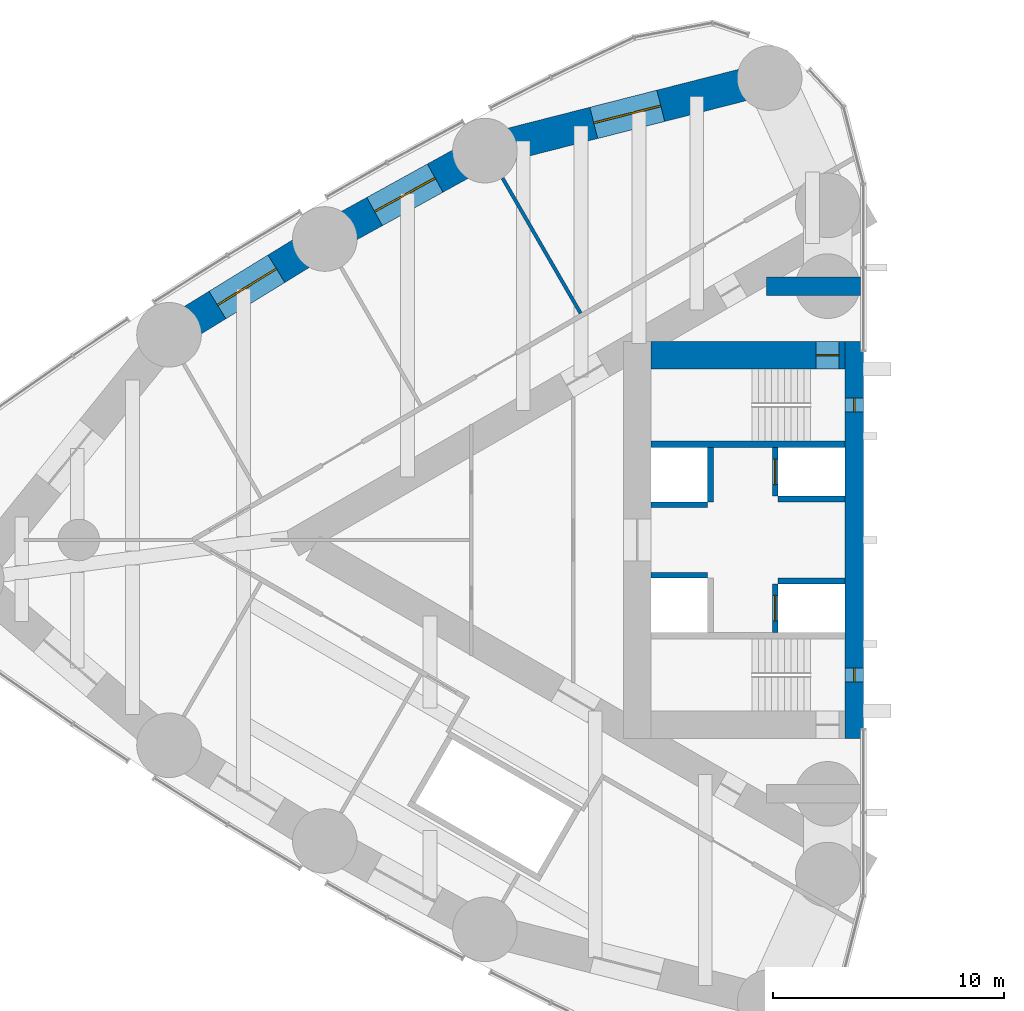
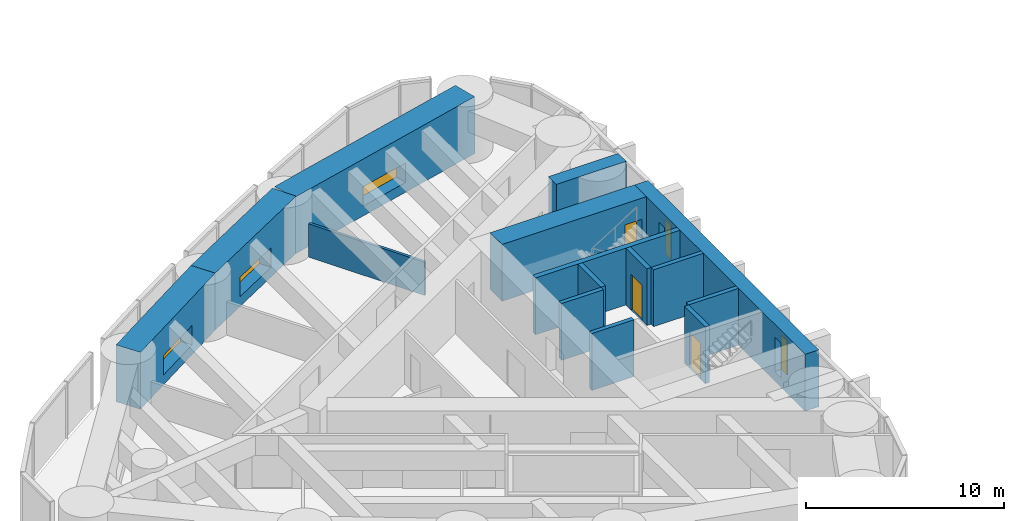
# One storey, part 13 of 17: 15 walls, 5 windows, 3 doors, 8 openings.
"""IFC4 building model written with IfcOpenShell, lengths in metres."""

from ifc_helpers import new_model, si_unit, direction, frame, frame_2d, origin, place, context, subcontext, project, spatial, rectangle, extrude, material, layer, layer_set, type_object, element, fill, save


model = new_model("IFC4")

# Units and contexts
model_context = context("Model", 3, precision=1e-05, world=origin(), true_north=direction((0.0, 1.0)))
body_context = subcontext(model_context, "Body", "Model", "MODEL_VIEW")
ifc_project = project(units=[si_unit("LENGTHUNIT", "METRE"), si_unit("AREAUNIT", "SQUARE_METRE"), si_unit("VOLUMEUNIT", "CUBIC_METRE"), si_unit("PLANEANGLEUNIT", "RADIAN"), si_unit("MASSUNIT", "GRAM", prefix="KILO")], contexts=[model_context])

# Site, building, storey
site_placement = place(None, origin())
site = spatial("IfcSite", under=ifc_project, at=site_placement, CompositionType="ELEMENT")
building_placement = place(site_placement, origin())
building = spatial("IfcBuilding", under=site, at=building_placement, Name="Lancet Gate Hotel", CompositionType="ELEMENT")
storey_placement = place(building_placement, frame((0.0, 0.0, 201.800048828125)))
storey = spatial("IfcBuildingStorey", under=building, at=storey_placement, Name="L54", CompositionType="ELEMENT", Elevation=201.800048828125)

# Wall, opening, window
ifc_material_1 = material(Name="Concrete C80/95", Category="concrete")
ifc_layer_1 = layer(ifc_material_1, 1.39990234375)
ifc_layer_set_1 = layer_set([ifc_layer_1], Name="Belt wall 1400")
wall_type_1 = type_object("IfcWallType", Name="Belt wall 1400", PredefinedType="SHEAR", material=ifc_layer_set_1)
wall_1_placement = place(storey_placement, frame((-31.5654296875, 20.015869140625, 0.0), z_axis=(0.0, 0.0, 1.0), x_axis=(-0.969008414312, -0.247027717052, 0.0)))
wall_1 = element("IfcWall", 1, at=wall_1_placement, inside=storey, type_object=wall_type_1, Name="T1 belt wall CS-OS1 L54", PredefinedType="SHEAR", context=body_context, shape_type="SweptSolid", body=[
    extrude(rectangle(XDim=12.7294921875, YDim=1.39990234375, at=frame_2d((6.36474609375, 0.0))), origin(), (0.0, 0.0, 1.0), 3.5),
])
opening_1_placement = place(wall_1_placement, frame((4.86474609375, 0.0, 0.60009765625)))
opening_1 = element("IfcOpeningElement", 2, at=opening_1_placement, cuts=wall_1, Name="Opening LV1", PredefinedType="OPENING", context=body_context, shape_type="SweptSolid", body=[
    extrude(rectangle(XDim=3.0, YDim=1.199951171875, at=frame_2d((1.5, 0.60009765625))), frame((0.0, 0.7099609375, 0.0), z_axis=(0.0, -1.0, 0.0), x_axis=(1.0, 0.0, 0.0)), (0.0, 0.0, 1.0), 1.419921875),
])
ifc_material_2 = material(Name="Aluminium weather louvre", Category="aluminium")
window_type_1 = type_object("IfcWindowType", Name="Refuge louvre 3000x1200", PartitioningType="SINGLE_PANEL", PredefinedType="WINDOW", material=ifc_material_2)
window_1_placement = place(opening_1_placement, origin())
window_1 = element("IfcWindow", 3, at=window_1_placement, inside=storey, type_object=window_type_1, Name="T1 belt louvre CS-OS1 L54", OverallHeight=1.199951171875, OverallWidth=3.0, PartitioningType="SINGLE_PANEL", PredefinedType="WINDOW", context=body_context, shape_type="SweptSolid", body=[
    extrude(rectangle(XDim=3.0, YDim=1.199951171875, at=frame_2d((1.5, 0.60009765625))), frame((0.0, 0.030029296875, 0.0), z_axis=(0.0, -1.0, 0.0), x_axis=(1.0, 0.0, 0.0)), (0.0, 0.0, 1.0), 0.06005859375),
])
fill(opening_1, window_1)

wall_2_placement = place(storey_placement, frame((-43.900390625, 16.871337890625, 0.0), z_axis=(0.0, 0.0, 1.0), x_axis=(-0.875577684027, -0.483077342911, 0.0)))
wall_2 = element("IfcWall", 4, at=wall_2_placement, inside=storey, type_object=wall_type_1, Name="T1 belt wall OS1-OS2 L54", PredefinedType="SHEAR", context=body_context, shape_type="SweptSolid", body=[
    extrude(rectangle(XDim=7.924560546875, YDim=1.39990234375, at=frame_2d((3.96240234375, 0.0))), origin(), (0.0, 0.0, 1.0), 3.5),
])
opening_2_placement = place(wall_2_placement, frame((2.462158203125, 0.0, 0.60009765625)))
opening_2 = element("IfcOpeningElement", 5, at=opening_2_placement, cuts=wall_2, Name="Opening LV1", PredefinedType="OPENING", context=body_context, shape_type="SweptSolid", body=[
    extrude(rectangle(XDim=3.0, YDim=1.199951171875, at=frame_2d((1.5, 0.60009765625))), frame((0.0, 0.7099609375, 0.0), z_axis=(0.0, -1.0, 0.0), x_axis=(1.0, 0.0, 0.0)), (0.0, 0.0, 1.0), 1.419921875),
])
window_2_placement = place(opening_2_placement, origin())
window_2 = element("IfcWindow", 6, at=window_2_placement, inside=storey, type_object=window_type_1, Name="T1 belt louvre OS1-OS2 L54", OverallHeight=1.199951171875, OverallWidth=3.0, PartitioningType="SINGLE_PANEL", PredefinedType="WINDOW", context=body_context, shape_type="SweptSolid", body=[
    extrude(rectangle(XDim=3.0, YDim=1.199951171875, at=frame_2d((1.5, 0.60009765625))), frame((0.0, 0.030029296875, 0.0), z_axis=(0.0, -1.0, 0.0), x_axis=(1.0, 0.0, 0.0)), (0.0, 0.0, 1.0), 0.06005859375),
])
fill(opening_2, window_2)

wall_3_placement = place(storey_placement, frame((-50.8388671875, 13.043212890625, 0.0), z_axis=(0.0, 0.0, 1.0), x_axis=(-0.851892008043, -0.523717487423, 0.0)))
wall_3 = element("IfcWall", 7, at=wall_3_placement, inside=storey, type_object=wall_type_1, Name="T1 belt wall OS2-OS3 L54", PredefinedType="SHEAR", context=body_context, shape_type="SweptSolid", body=[
    extrude(rectangle(XDim=7.92431640625, YDim=1.39990234375, at=frame_2d((3.962158203125, 0.0))), origin(), (0.0, 0.0, 1.0), 3.5),
])
opening_3_placement = place(wall_3_placement, frame((2.462158203125, 0.0, 0.60009765625)))
opening_3 = element("IfcOpeningElement", 8, at=opening_3_placement, cuts=wall_3, Name="Opening LV1", PredefinedType="OPENING", context=body_context, shape_type="SweptSolid", body=[
    extrude(rectangle(XDim=3.0, YDim=1.199951171875, at=frame_2d((1.5, 0.60009765625))), frame((0.0, 0.7099609375, 0.0), z_axis=(0.0, -1.0, 0.0), x_axis=(1.0, 0.0, 0.0)), (0.0, 0.0, 1.0), 1.419921875),
])
window_3_placement = place(opening_3_placement, origin())
window_3 = element("IfcWindow", 9, at=window_3_placement, inside=storey, type_object=window_type_1, Name="T1 belt louvre OS2-OS3 L54", OverallHeight=1.199951171875, OverallWidth=3.0, PartitioningType="SINGLE_PANEL", PredefinedType="WINDOW", context=body_context, shape_type="SweptSolid", body=[
    extrude(rectangle(XDim=3.0, YDim=1.199951171875, at=frame_2d((1.5, 0.60009765625))), frame((0.0, 0.030029296875, 0.0), z_axis=(0.0, -1.0, 0.0), x_axis=(1.0, 0.0, 0.0)), (0.0, 0.0, 1.0), 0.06005859375),
])
fill(opening_3, window_3)

# Wall, opening, door
ifc_material_3 = material(Name="Concrete C70/85", Category="concrete")
ifc_layer_2 = layer(ifc_material_3, 1.199951171875)
ifc_layer_set_2 = layer_set([ifc_layer_2], Name="Core wall 1200")
wall_type_2 = type_object("IfcWallType", Name="Core wall 1200", PredefinedType="SHEAR", material=ifc_layer_set_2)
wall_4_placement = place(storey_placement, frame((-28.300048828125, 8.0, 0.0), z_axis=(0.0, 0.0, 1.0), x_axis=(-1.0, 0.0, 0.0)))
wall_4 = element("IfcWall", 10, at=wall_4_placement, inside=storey, type_object=wall_type_2, Name="T1 core wall side-S L54", PredefinedType="SHEAR", context=body_context, shape_type="SweptSolid", body=[
    extrude(rectangle(XDim=8.39990234375, YDim=1.199951171875, at=frame_2d((4.199951171875, 0.0))), origin(), (0.0, 0.0, 1.0), 3.5),
])
opening_4_placement = place(wall_4_placement, frame((0.25, 0.0, 0.0)))
opening_4 = element("IfcOpeningElement", 11, at=opening_4_placement, cuts=wall_4, Name="Opening T1-L54-ST1", PredefinedType="OPENING", context=body_context, shape_type="SweptSolid", body=[
    extrude(rectangle(XDim=1.0, YDim=2.199951171875, at=frame_2d((0.5, 1.10009765625))), frame((0.0, 0.60986328125, 0.0), z_axis=(0.0, -1.0, 0.0), x_axis=(1.0, 0.0, 0.0)), (0.0, 0.0, 1.0), 1.219970703125),
])
ifc_material_4 = material(Name="Timber door set", Category="wood")
door_type_1 = type_object("IfcDoorType", Name="Stair door 1000", OperationType="SINGLE_SWING_RIGHT", PredefinedType="DOOR", material=ifc_material_4)
door_1_placement = place(opening_4_placement, origin())
door_1 = element("IfcDoor", 12, at=door_1_placement, inside=storey, type_object=door_type_1, Name="T1-L54-ST1", OperationType="SINGLE_SWING_RIGHT", OverallHeight=2.199951171875, OverallWidth=1.0, PredefinedType="DOOR", context=body_context, shape_type="SweptSolid", body=[
    extrude(rectangle(XDim=1.0, YDim=2.199951171875, at=frame_2d((0.5, 1.10009765625))), frame((0.0, 0.02490234375, 0.0), z_axis=(0.0, -1.0, 0.0), x_axis=(1.0, 0.0, 0.0)), (0.0, 0.0, 1.0), 0.050048828125),
])
fill(opening_4, door_1)

# Wall, openings, windows
ifc_material_5 = material(Name="Concrete C70/85", Category="concrete")
ifc_layer_3 = layer(ifc_material_5, 0.800048828125)
ifc_layer_set_3 = layer_set([ifc_layer_3], Name="Core wall 800")
wall_type_3 = type_object("IfcWallType", Name="Core wall 800", PredefinedType="SHEAR", material=ifc_layer_set_3)
wall_5_placement = place(storey_placement, frame((-27.89990234375, 8.60009765625, 0.0), z_axis=(0.0, 0.0, 1.0), x_axis=(0.0, -1.0, 0.0)))
wall_5 = element("IfcWall", 13, at=wall_5_placement, inside=storey, type_object=wall_type_3, Name="T1 core wall front L54", PredefinedType="SHEAR", context=body_context, shape_type="SweptSolid", body=[
    extrude(rectangle(XDim=17.2001953125, YDim=0.800048828125, at=frame_2d((8.60009765625, 0.0))), origin(), (0.0, 0.0, 1.0), 3.5),
])
opening_5_placement = place(wall_5_placement, frame((2.449951171875, 0.0, 0.60009765625)))
opening_5 = element("IfcOpeningElement", 14, at=opening_5_placement, cuts=wall_5, Name="Opening LW1", PredefinedType="OPENING", context=body_context, shape_type="SweptSolid", body=[
    extrude(rectangle(XDim=0.60009765625, YDim=2.10009765625, at=frame_2d((0.300048828125, 1.050048828125))), frame((0.0, 0.409912109375, 0.0), z_axis=(0.0, -1.0, 0.0), x_axis=(1.0, 0.0, 0.0)), (0.0, 0.0, 1.0), 0.820068359375),
])
opening_6_placement = place(wall_5_placement, frame((14.14990234375, 0.0, 0.60009765625)))
opening_6 = element("IfcOpeningElement", 15, at=opening_6_placement, cuts=wall_5, Name="Opening LW1", PredefinedType="OPENING", context=body_context, shape_type="SweptSolid", body=[
    extrude(rectangle(XDim=0.60009765625, YDim=2.10009765625, at=frame_2d((0.300048828125, 1.050048828125))), frame((0.0, 0.409912109375, 0.0), z_axis=(0.0, -1.0, 0.0), x_axis=(1.0, 0.0, 0.0)), (0.0, 0.0, 1.0), 0.820068359375),
])
ifc_material_6 = material(Name="Fire-resisting glazed steel window", Category="steel")
window_type_2 = type_object("IfcWindowType", Name="Lancet window 600x2100", PartitioningType="SINGLE_PANEL", PredefinedType="WINDOW", material=ifc_material_6)
window_4_placement = place(opening_5_placement, origin())
window_4 = element("IfcWindow", 16, at=window_4_placement, inside=storey, type_object=window_type_2, Name="T1 stair window S L54", OverallHeight=2.10009765625, OverallWidth=0.60009765625, PartitioningType="SINGLE_PANEL", PredefinedType="WINDOW", context=body_context, shape_type="SweptSolid", body=[
    extrude(rectangle(XDim=0.60009765625, YDim=2.10009765625, at=frame_2d((0.300048828125, 1.050048828125))), frame((0.0, 0.030029296875, 0.0), z_axis=(0.0, -1.0, 0.0), x_axis=(1.0, 0.0, 0.0)), (0.0, 0.0, 1.0), 0.06005859375),
])
fill(opening_5, window_4)
window_5_placement = place(opening_6_placement, origin())
window_5 = element("IfcWindow", 17, at=window_5_placement, inside=storey, type_object=window_type_2, Name="T1 stair window N L54", OverallHeight=2.10009765625, OverallWidth=0.60009765625, PartitioningType="SINGLE_PANEL", PredefinedType="WINDOW", context=body_context, shape_type="SweptSolid", body=[
    extrude(rectangle(XDim=0.60009765625, YDim=2.10009765625, at=frame_2d((0.300048828125, 1.050048828125))), frame((0.0, 0.030029296875, 0.0), z_axis=(0.0, -1.0, 0.0), x_axis=(1.0, 0.0, 0.0)), (0.0, 0.0, 1.0), 0.06005859375),
])
fill(opening_6, window_5)

# Wall, opening, door
ifc_material_7 = material(Name="Concrete C50/60", Category="concrete")
ifc_layer_4 = layer(ifc_material_7, 0.25)
ifc_layer_set_4 = layer_set([ifc_layer_4], Name="Lift shaft wall 250")
wall_type_4 = type_object("IfcWallType", Name="Lift shaft wall 250", PredefinedType="SHEAR", material=ifc_layer_set_4)
wall_6_placement = place(storey_placement, frame((-31.324951171875, 4.0, 0.0), z_axis=(0.0, 0.0, 1.0), x_axis=(0.0, -1.0, 0.0)))
wall_6 = element("IfcWall", 18, at=wall_6_placement, inside=storey, type_object=wall_type_4, Name="T1 core wall row1-S L54", PredefinedType="SHEAR", context=body_context, shape_type="SweptSolid", body=[
    extrude(rectangle(XDim=2.10009765625, YDim=0.25, at=frame_2d((1.050048828125, 0.0))), origin(), (0.0, 0.0, 1.0), 3.5),
])
opening_7_placement = place(wall_6_placement, frame((0.5, 0.0, 0.0)))
opening_7 = element("IfcOpeningElement", 19, at=opening_7_placement, cuts=wall_6, Name="Opening T1-SL1-L54", PredefinedType="OPENING", context=body_context, shape_type="SweptSolid", body=[
    extrude(rectangle(XDim=1.10009765625, YDim=2.199951171875, at=frame_2d((0.550048828125, 1.10009765625))), frame((0.0, 0.135009765625, 0.0), z_axis=(0.0, -1.0, 0.0), x_axis=(1.0, 0.0, 0.0)), (0.0, 0.0, 1.0), 0.27001953125),
])
ifc_material_8 = material(Name="Timber door set", Category="wood")
door_type_2 = type_object("IfcDoorType", Name="Service lift landing door 1100", OperationType="SLIDING_TO_LEFT", PredefinedType="USERDEFINED", material=ifc_material_8)
door_2_placement = place(opening_7_placement, origin())
door_2 = element("IfcDoor", 20, at=door_2_placement, inside=storey, type_object=door_type_2, Name="T1-SL1-L54", ObjectType="LIFT LANDING DOOR", OperationType="SLIDING_TO_LEFT", OverallHeight=2.199951171875, OverallWidth=1.10009765625, PredefinedType="USERDEFINED", context=body_context, shape_type="SweptSolid", body=[
    extrude(rectangle(XDim=1.10009765625, YDim=2.199951171875, at=frame_2d((0.550048828125, 1.10009765625))), frame((0.0, 0.02490234375, 0.0), z_axis=(0.0, -1.0, 0.0), x_axis=(1.0, 0.0, 0.0)), (0.0, 0.0, 1.0), 0.050048828125),
])
fill(opening_7, door_2)

# Walls
wall_7_placement = place(storey_placement, frame((-34.125, 4.0, 0.0), z_axis=(0.0, 0.0, 1.0), x_axis=(0.0, -1.0, 0.0)))
element("IfcWall", 21, at=wall_7_placement, inside=storey, type_object=wall_type_4, Name="T1 core wall row2-S L54", PredefinedType="SHEAR", context=body_context, shape_type="SweptSolid", body=[
    extrude(rectangle(XDim=2.35009765625, YDim=0.25, at=frame_2d((1.175048828125, 0.0))), origin(), (0.0, 0.0, 1.0), 3.5),
])
wall_8_placement = place(storey_placement, frame((-28.300048828125, 1.77490234375, 0.0), z_axis=(0.0, 0.0, 1.0), x_axis=(-1.0, 0.0, 0.0)))
element("IfcWall", 22, at=wall_8_placement, inside=storey, type_object=wall_type_4, Name="T1 core wall pass1-S L54", PredefinedType="SHEAR", context=body_context, shape_type="SweptSolid", body=[
    extrude(rectangle(XDim=2.89990234375, YDim=0.25, at=frame_2d((1.449951171875, 0.0))), origin(), (0.0, 0.0, 1.0), 3.5),
])
wall_9_placement = place(storey_placement, frame((-34.25, 1.52490234375, 0.0), z_axis=(0.0, 0.0, 1.0), x_axis=(-1.0, 0.0, 0.0)))
element("IfcWall", 23, at=wall_9_placement, inside=storey, type_object=wall_type_4, Name="T1 core wall pass2-S L54", PredefinedType="SHEAR", context=body_context, shape_type="SweptSolid", body=[
    extrude(rectangle(XDim=2.449951171875, YDim=0.25, at=frame_2d((1.22509765625, 0.0))), origin(), (0.0, 0.0, 1.0), 3.5),
])

# Wall, opening, door
wall_10_placement = place(storey_placement, frame((-31.324951171875, -1.89990234375, 0.0), z_axis=(0.0, 0.0, 1.0), x_axis=(0.0, -1.0, 0.0)))
wall_10 = element("IfcWall", 24, at=wall_10_placement, inside=storey, type_object=wall_type_4, Name="T1 core wall row1-N L54", PredefinedType="SHEAR", context=body_context, shape_type="SweptSolid", body=[
    extrude(rectangle(XDim=2.10009765625, YDim=0.25, at=frame_2d((1.050048828125, 0.0))), origin(), (0.0, 0.0, 1.0), 3.5),
])
opening_8_placement = place(wall_10_placement, frame((0.5, 0.0, 0.0)))
opening_8 = element("IfcOpeningElement", 25, at=opening_8_placement, cuts=wall_10, Name="Opening T1-FL2-L54", PredefinedType="OPENING", context=body_context, shape_type="SweptSolid", body=[
    extrude(rectangle(XDim=1.10009765625, YDim=2.199951171875, at=frame_2d((0.550048828125, 1.10009765625))), frame((0.0, 0.135009765625, 0.0), z_axis=(0.0, -1.0, 0.0), x_axis=(1.0, 0.0, 0.0)), (0.0, 0.0, 1.0), 0.27001953125),
])
ifc_material_9 = material(Name="Steel door set", Category="steel")
door_type_3 = type_object("IfcDoorType", Name="Firefighting lift landing door 1100", OperationType="SLIDING_TO_LEFT", PredefinedType="USERDEFINED", material=ifc_material_9)
door_3_placement = place(opening_8_placement, origin())
door_3 = element("IfcDoor", 26, at=door_3_placement, inside=storey, type_object=door_type_3, Name="T1-FL2-L54", ObjectType="LIFT LANDING DOOR", OperationType="SLIDING_TO_LEFT", OverallHeight=2.199951171875, OverallWidth=1.10009765625, PredefinedType="USERDEFINED", context=body_context, shape_type="SweptSolid", body=[
    extrude(rectangle(XDim=1.10009765625, YDim=2.199951171875, at=frame_2d((0.550048828125, 1.10009765625))), frame((0.0, 0.02490234375, 0.0), z_axis=(0.0, -1.0, 0.0), x_axis=(1.0, 0.0, 0.0)), (0.0, 0.0, 1.0), 0.050048828125),
])
fill(opening_8, door_3)

# Walls
wall_11_placement = place(storey_placement, frame((-28.300048828125, -1.77490234375, 0.0), z_axis=(0.0, 0.0, 1.0), x_axis=(-1.0, 0.0, 0.0)))
element("IfcWall", 27, at=wall_11_placement, inside=storey, type_object=wall_type_4, Name="T1 core wall pass1-N L54", PredefinedType="SHEAR", context=body_context, shape_type="SweptSolid", body=[
    extrude(rectangle(XDim=2.89990234375, YDim=0.25, at=frame_2d((1.449951171875, 0.0))), origin(), (0.0, 0.0, 1.0), 3.5),
])
wall_12_placement = place(storey_placement, frame((-34.25, -1.52490234375, 0.0), z_axis=(0.0, 0.0, 1.0), x_axis=(-1.0, 0.0, 0.0)))
element("IfcWall", 28, at=wall_12_placement, inside=storey, type_object=wall_type_4, Name="T1 core wall pass2-N L54", PredefinedType="SHEAR", context=body_context, shape_type="SweptSolid", body=[
    extrude(rectangle(XDim=2.449951171875, YDim=0.25, at=frame_2d((1.22509765625, 0.0))), origin(), (0.0, 0.0, 1.0), 3.5),
])
ifc_material_10 = material(Name="Concrete C70/85", Category="concrete")
ifc_layer_5 = layer(ifc_material_10, 0.800048828125)
ifc_layer_set_5 = layer_set([ifc_layer_5], Name="Outrigger wall 800, truss lines")
wall_type_5 = type_object("IfcWallType", Name="Outrigger wall 800, truss lines", PredefinedType="SHEAR", material=ifc_layer_set_5)
wall_13_placement = place(storey_placement, frame((-27.6201171875, 11.0, 0.0), z_axis=(0.0, 0.0, 1.0), x_axis=(-1.0, 0.0, 0.0)))
element("IfcWall", 29, at=wall_13_placement, inside=storey, type_object=wall_type_5, Name="T1 transfer wall TN L54", PredefinedType="SHEAR", context=body_context, shape_type="SweptSolid", body=[
    extrude(rectangle(XDim=4.07568359375, YDim=0.800048828125, at=frame_2d((2.037841796875, 0.0))), origin(), (0.0, 0.0, 1.0), 3.5),
])
ifc_material_11 = material(Name="Gypsum board partition")
ifc_layer_6 = layer(ifc_material_11, 0.14990234375)
ifc_layer_set_6 = layer_set([ifc_layer_6], Name="Party wall 150")
wall_type_6 = type_object("IfcWallType", Name="Party wall 150", PredefinedType="PARTITIONING", material=ifc_layer_set_6)
wall_14_placement = place(storey_placement, frame((-39.75439453125, 9.822998046875, 0.0), z_axis=(0.0, 0.0, 1.0), x_axis=(-0.499997670926, 0.866026748472, 0.0)))
element("IfcWall", 30, at=wall_14_placement, inside=storey, type_object=wall_type_6, Name="T1 party wall 150 L54", PredefinedType="PARTITIONING", context=body_context, shape_type="SweptSolid", body=[
    extrude(rectangle(XDim=6.75732421875, YDim=0.14990234375, at=frame_2d((3.378662109375, 0.0))), origin(), (0.0, 0.0, 1.0), 2.050048828125),
])
ifc_material_12 = material(Name="Concrete C50/60", Category="concrete")
ifc_layer_7 = layer(ifc_material_12, 0.300048828125)
ifc_layer_set_7 = layer_set([ifc_layer_7], Name="Stair enclosure wall 300")
wall_type_7 = type_object("IfcWallType", Name="Stair enclosure wall 300", PredefinedType="SHEAR", material=ifc_layer_set_7)
wall_15_placement = place(storey_placement, frame((-28.300048828125, 4.14990234375, 0.0), z_axis=(0.0, 0.0, 1.0), x_axis=(-1.0, 0.0, 0.0)))
element("IfcWall", 31, at=wall_15_placement, inside=storey, type_object=wall_type_7, Name="T1 core wall stair-S L54", PredefinedType="SHEAR", context=body_context, shape_type="SweptSolid", body=[
    extrude(rectangle(XDim=8.39990234375, YDim=0.300048828125, at=frame_2d((4.199951171875, 0.0))), origin(), (0.0, 0.0, 1.0), 3.5),
])

save(model, "model.ifc")
